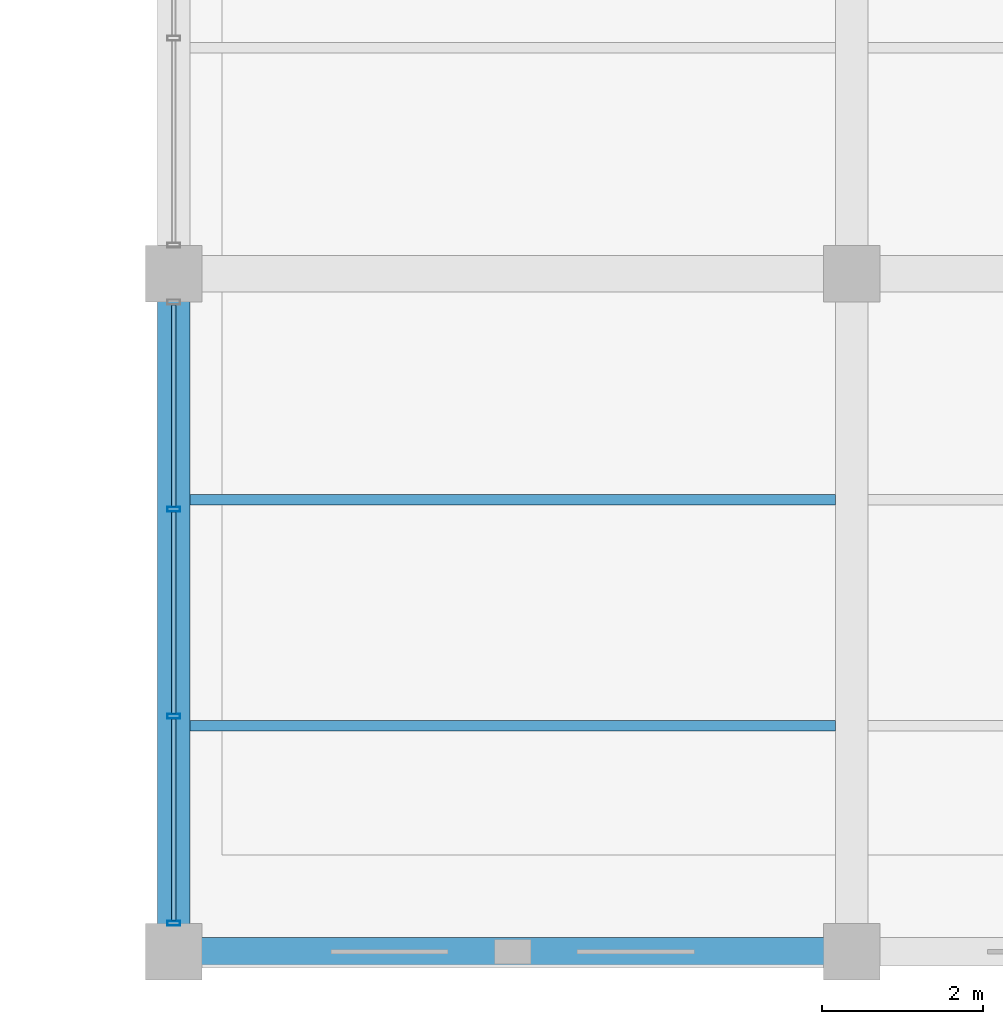
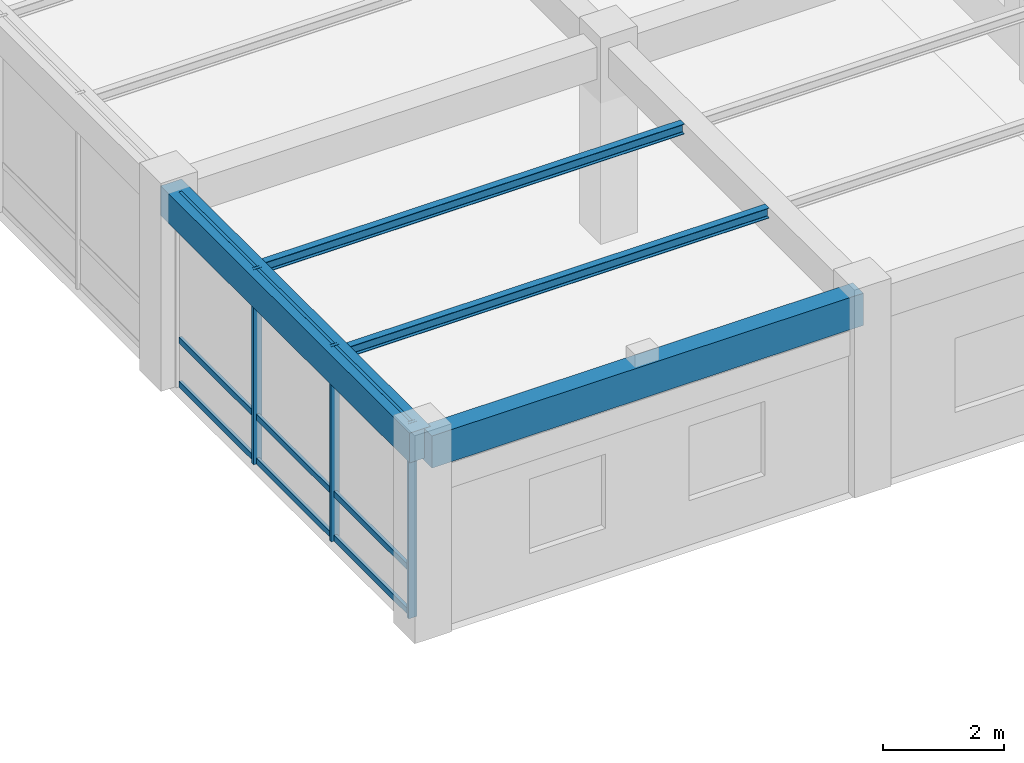
# One storey, part 16 of 152: 12 members, 4 beams, 1 element without a shape of its own.
"""IFC4 building model written with IfcOpenShell, lengths in metres."""

import ifcopenshell
import ifcopenshell.guid

model = None  # the IFC model being written
_history = None  # IfcOwnerHistory: only IFC2X3 demands one
_inside = {}  # id of a spatial element -> (the spatial element, [elements in it])
_under = {}  # id of a project, library or spatial element -> (it, [spatial elements below it])
_declared = {}  # id of a project -> (the project, [libraries it declares])
_typed = {}  # id of a type object -> (the type object, [elements of that type])
_made_of = {}  # id of a material, layer set ... -> (it, [elements and type objects made of it])


def new_model(schema):
    """Start an empty IFC model of exactly this schema.

    Asked for "IFC4X3", IfcOpenShell would pick the latest addendum, in which some entities
    have other attributes; the version numbers below select the first issue.
    IFC2X3 requires an IfcOwnerHistory on every rooted entity: one is made here for all.
    """
    global model, _history
    if schema == "IFC4X3":
        model = ifcopenshell.file(schema_version=(4, 3, 0, 0))
    else:
        model = ifcopenshell.file(schema=schema)
    _inside.clear()
    _under.clear()
    _declared.clear()
    _typed.clear()
    _made_of.clear()
    _history = None
    if model.schema == "IFC2X3":
        org = make("IfcOrganization", Name="unknown")
        user = make(
            "IfcPersonAndOrganization",
            ThePerson=make("IfcPerson", FamilyName="unknown"),
            TheOrganization=org,
        )
        app = make(
            "IfcApplication",
            ApplicationDeveloper=org,
            Version="unknown",
            ApplicationFullName="unknown",
            ApplicationIdentifier="unknown",
        )
        _history = make(
            "IfcOwnerHistory",
            OwningUser=user,
            OwningApplication=app,
            ChangeAction="ADDED",
            CreationDate=0,
        )
    return model


def make(cls, **values):
    """One entity of the class cls with the attributes given. An attribute that is None is left unset."""
    return model.create_entity(
        cls, **{name: value for name, value in values.items() if value is not None}
    )


def rooted(cls, **values):
    """An entity with a GlobalId (a new one), such as an element, a storey or a relation."""
    return make(cls, GlobalId=ifcopenshell.guid.new(), OwnerHistory=_history, **values)


def si_unit(unit_type, name, prefix=None):
    """IfcSIUnit, for example si_unit("LENGTHUNIT", "METRE", prefix="MILLI")."""
    return make("IfcSIUnit", UnitType=unit_type, Prefix=prefix, Name=name)


def assignment(units):
    """IfcUnitAssignment: the units of a project."""
    return None if units is None else make("IfcUnitAssignment", Units=units)


def point(xyz):
    """IfcCartesianPoint."""
    return None if xyz is None else make("IfcCartesianPoint", Coordinates=xyz)


def direction(xyz):
    """IfcDirection."""
    return None if xyz is None else make("IfcDirection", DirectionRatios=xyz)


def frame(location, z_axis=None, x_axis=None):
    """IfcAxis2Placement3D, a coordinate frame: its origin and axes. An axis left out is left unset."""
    return make(
        "IfcAxis2Placement3D",
        Location=point(location),
        Axis=direction(z_axis),
        RefDirection=direction(x_axis),
    )


def frame_2d(location, x_axis=None):
    """IfcAxis2Placement2D, a coordinate frame in the plane: its origin and x axis."""
    return make(
        "IfcAxis2Placement2D", Location=point(location), RefDirection=direction(x_axis)
    )


def origin():
    """The frame at (0, 0, 0) with its axes left unset."""
    return frame((0.0, 0.0, 0.0))


def origin_2d():
    """The frame at (0, 0) in the plane with its x axis left unset."""
    return frame_2d((0.0, 0.0))


def place(relative_to, where):
    """IfcLocalPlacement: puts the frame where relative to a parent placement (None: the world)."""
    return make(
        "IfcLocalPlacement", PlacementRelTo=relative_to, RelativePlacement=where
    )


def context(
    kind, dimensions, precision=None, world=None, true_north=None, identifier=None
):
    """IfcGeometricRepresentationContext, for example the 3D "Model" context."""
    return make(
        "IfcGeometricRepresentationContext",
        ContextIdentifier=identifier,
        ContextType=kind,
        CoordinateSpaceDimension=dimensions,
        Precision=precision,
        WorldCoordinateSystem=world,
        TrueNorth=true_north,
    )


def subcontext(parent, identifier, kind, view, scale=None):
    """IfcGeometricRepresentationSubContext, for example "Body" below "Model"."""
    return make(
        "IfcGeometricRepresentationSubContext",
        ContextIdentifier=identifier,
        ContextType=kind,
        ParentContext=parent,
        TargetScale=scale,
        TargetView=view,
    )


def project(units=None, contexts=None):
    """IfcProject with its units and contexts."""
    return rooted(
        "IfcProject",
        Name="project",
        RepresentationContexts=contexts,
        UnitsInContext=assignment(units),
    )


def spatial(cls, under=None, at=None, **own):
    """A site, building, storey or space (cls), placed at a placement, below another one or the project."""
    s = rooted(cls, ObjectPlacement=at, **own)
    if under is not None:
        _under.setdefault(under.id(), (under, []))[1].append(s)
    return s


def profile(cls, at=None, kind="AREA", **sizes):
    """A parametric profile (cls). Its sizes go by their IFC names, for example OverallWidth=200.0."""
    return make(cls, ProfileType=kind, Position=at, **sizes)


def rectangle(**sizes):
    """IfcRectangleProfileDef."""
    return profile("IfcRectangleProfileDef", **sizes)


def hollow_rectangle(**sizes):
    """IfcRectangleHollowProfileDef."""
    return profile("IfcRectangleHollowProfileDef", **sizes)


def i_section(**sizes):
    """IfcIShapeProfileDef."""
    return profile("IfcIShapeProfileDef", **sizes)


def extrude(swept, where, along, depth):
    """IfcExtrudedAreaSolid: the profile swept, set in the frame where, extruded along a direction by depth."""
    return make(
        "IfcExtrudedAreaSolid",
        SweptArea=swept,
        Position=where,
        ExtrudedDirection=direction(along),
        Depth=depth,
    )


def shape(context_of_items, identifier, shape_type, items):
    """IfcShapeRepresentation: the items that make up one representation, for example the "Body"."""
    return make(
        "IfcShapeRepresentation",
        ContextOfItems=context_of_items,
        RepresentationIdentifier=identifier,
        RepresentationType=shape_type,
        Items=items,
    )


def material(Name=None, Category=None):
    """IfcMaterial."""
    return make("IfcMaterial", Name=Name, Category=Category)


def material_profile(
    of_material, cross_section, Name=None, Category=None, Priority=None
):
    """IfcMaterialProfile: a cross section and its material."""
    return make(
        "IfcMaterialProfile",
        Name=Name,
        Material=of_material,
        Profile=cross_section,
        Priority=Priority,
        Category=Category,
    )


def profile_set(profiles, Name=None, composite=None):
    """IfcMaterialProfileSet."""
    return make(
        "IfcMaterialProfileSet",
        Name=Name,
        MaterialProfiles=profiles,
        CompositeProfile=composite,
    )


def made_of(thing, what):
    """Note that an element or type object is made of a material, layer set ...; save() writes the relation."""
    if what is not None:
        _made_of.setdefault(what.id(), (what, []))[1].append(thing)
    return thing


def type_object(cls, material=None, **own):
    """A type object (cls), such as IfcWallType, which elements share."""
    return made_of(rooted(cls, **own), material)


def element(
    cls,
    number,
    at=None,
    inside=None,
    cuts=None,
    type_object=None,
    material=None,
    context=None,
    identifier="Body",
    shape_type=None,
    held_by="IfcProductDefinitionShape",
    body=None,
    shapes=None,
    **own,
):
    """One element of the class cls, such as IfcWall. Its Tag is "e" and its number.

    at: its placement. inside: the storey or other place that contains it. cuts: it is an
    opening in that element (IfcRelVoidsElement). A single representation is given by context,
    identifier, shape_type and body (its items); several are given by shapes. held_by: the class
    of the entity that holds the representations. save() writes the other relations.
    """
    e = rooted(cls, Tag="e%d" % number, ObjectPlacement=at, **own)
    if body is not None:
        shapes = [shape(context, identifier, shape_type, body)]
    if shapes is not None:
        e.Representation = make(held_by, Representations=shapes)
    if inside is not None:
        _inside.setdefault(inside.id(), (inside, []))[1].append(e)
    if cuts is not None:
        rooted(
            "IfcRelVoidsElement", RelatingBuildingElement=cuts, RelatedOpeningElement=e
        )
    if type_object is not None:
        _typed.setdefault(type_object.id(), (type_object, []))[1].append(e)
    return made_of(e, material)


def aggregate(whole, parts):
    """IfcRelAggregates: a whole, such as a stair, and the parts it consists of."""
    return rooted("IfcRelAggregates", RelatingObject=whole, RelatedObjects=parts)


def save(model, path):
    """Write the relations noted so far, then the file.

    IfcRelAggregates (storeys below a building ...), IfcRelContainedInSpatialStructure (elements
    in a storey), IfcRelDefinesByType, IfcRelAssociatesMaterial and IfcRelDeclares: one each for
    every whole, place, type object, material and project.
    """
    for whole, parts in _under.values():
        aggregate(whole, parts)
    for where, things in _inside.values():
        rooted(
            "IfcRelContainedInSpatialStructure",
            RelatedElements=things,
            RelatingStructure=where,
        )
    for kind, things in _typed.values():
        rooted("IfcRelDefinesByType", RelatedObjects=things, RelatingType=kind)
    for what, things in _made_of.values():
        rooted("IfcRelAssociatesMaterial", RelatedObjects=things, RelatingMaterial=what)
    for by, libraries in _declared.values():
        rooted("IfcRelDeclares", RelatingContext=by, RelatedDefinitions=libraries)
    model.write(path)


model = new_model("IFC4")

# Units and contexts
model_context = context("Model", 3, precision=1e-05, world=origin(), true_north=direction((0.0, 1.0)))
body_context = subcontext(model_context, "Body", "Model", "MODEL_VIEW")
ifc_project = project(units=[si_unit("LENGTHUNIT", "METRE"), si_unit("AREAUNIT", "SQUARE_METRE"), si_unit("VOLUMEUNIT", "CUBIC_METRE"), si_unit("PLANEANGLEUNIT", "RADIAN"), si_unit("MASSUNIT", "GRAM", prefix="KILO"), si_unit("THERMODYNAMICTEMPERATUREUNIT", "KELVIN"), si_unit("POWERUNIT", "WATT")], contexts=[model_context])

# Site, building, storey
site_placement = place(None, origin())
site = spatial("IfcSite", under=ifc_project, at=site_placement, CompositionType="ELEMENT")
building_placement = place(site_placement, origin())
building = spatial("IfcBuilding", under=site, at=building_placement, Name="Darbajah Civic Hall", CompositionType="ELEMENT")
storey_placement = place(building_placement, frame((0.0, 0.0, 5.39990234375)))
storey = spatial("IfcBuildingStorey", under=building, at=storey_placement, Name="L01", CompositionType="ELEMENT", Elevation=5.39990234375)

# Curtain wall, members
ifc_material_1 = material(Name="Anodised Bronze Aluminium and Low-E Glazing", Category="aluminium")
curtain_wall_type = type_object("IfcCurtainWallType", Name="Unitised Curtain Wall CW-99 7700x3950", PredefinedType="USERDEFINED", material=ifc_material_1)
curtain_wall_placement = place(storey_placement, origin())
curtain_wall = element("IfcCurtainWall", 1, at=curtain_wall_placement, inside=storey, type_object=curtain_wall_type, Name="L01 unitised curtain wall CW-V5-L01-S3-B1", ObjectType="UNITISED CURTAIN WALL", PredefinedType="USERDEFINED")
ifc_material_2 = material(Name="Anodised Bronze Aluminium", Category="aluminium")
ifc_material_profile_1 = material_profile(ifc_material_2, hollow_rectangle(XDim=0.06005859375, YDim=0.159912109375, WallThickness=0.00341796875, at=origin_2d()), Name="ALU MULLION 60x160")
ifc_profile_set_1 = profile_set([ifc_material_profile_1], Name="Anodised Bronze Aluminium")
member_type_1 = type_object("IfcMemberType", Name="ALU MULLION 60x160", PredefinedType="MULLION", material=ifc_profile_set_1)
member_1_placement = place(storey_placement, frame((50.39990234375, 5.482666015625, 0.0), z_axis=(0.0, 0.0, 1.0), x_axis=(0.0, -1.0, 0.0)))
member_1 = element("IfcMember", 2, at=member_1_placement, type_object=member_type_1, Name="CW-V5-L01-S3-B1 mullion 2", PredefinedType="MULLION", context=body_context, shape_type="SweptSolid", body=[
    extrude(hollow_rectangle(XDim=0.06005859375, YDim=0.159912109375, WallThickness=0.00341796875, at=origin_2d()), origin(), (0.0, 0.0, 1.0), 3.940185546875),
])
member_2_placement = place(storey_placement, frame((50.39990234375, 2.917236328125, 0.0), z_axis=(0.0, 0.0, 1.0), x_axis=(0.0, -1.0, 0.0)))
member_2 = element("IfcMember", 3, at=member_2_placement, type_object=member_type_1, Name="CW-V5-L01-S3-B1 mullion 3", PredefinedType="MULLION", context=body_context, shape_type="SweptSolid", body=[
    extrude(hollow_rectangle(XDim=0.06005859375, YDim=0.159912109375, WallThickness=0.00341796875, at=origin_2d()), origin(), (0.0, 0.0, 1.0), 3.940185546875),
])
member_3_placement = place(storey_placement, frame((50.39990234375, 0.35205078125, 0.0), z_axis=(0.0, 0.0, 1.0), x_axis=(0.0, -1.0, 0.0)))
member_3 = element("IfcMember", 4, at=member_3_placement, type_object=member_type_1, Name="CW-V5-L01-S3-B1 mullion 4", PredefinedType="MULLION", context=body_context, shape_type="SweptSolid", body=[
    extrude(hollow_rectangle(XDim=0.06005859375, YDim=0.159912109375, WallThickness=0.00341796875, at=origin_2d()), origin(), (0.0, 0.0, 1.0), 3.940185546875),
])
ifc_material_profile_2 = material_profile(ifc_material_2, hollow_rectangle(XDim=0.06005859375, YDim=0.1201171875, WallThickness=0.003173828125, at=origin_2d()), Name="ALU TRANSOM 60x120")
ifc_profile_set_2 = profile_set([ifc_material_profile_2], Name="Anodised Bronze Aluminium")
member_type_2 = type_object("IfcMemberType", Name="ALU TRANSOM 60x120", PredefinedType="USERDEFINED", material=ifc_profile_set_2)
member_4_placement = place(storey_placement, frame((50.39990234375, 8.012939453125, 0.06005859375), z_axis=(0.0, -1.0, 0.0), x_axis=(1.0, 0.0, 0.0)))
member_4 = element("IfcMember", 5, at=member_4_placement, type_object=member_type_2, Name="CW-V5-L01-S3-B1 transom 1.1", ObjectType="TRANSOM", PredefinedType="USERDEFINED", context=body_context, shape_type="SweptSolid", body=[
    extrude(hollow_rectangle(XDim=0.06005859375, YDim=0.1201171875, WallThickness=0.003173828125, at=origin_2d()), origin(), (0.0, 0.0, 1.0), 2.495361328125),
])
member_5_placement = place(storey_placement, frame((50.39990234375, 8.012939453125, 0.9501953125), z_axis=(0.0, -1.0, 0.0), x_axis=(1.0, 0.0, 0.0)))
member_5 = element("IfcMember", 6, at=member_5_placement, type_object=member_type_2, Name="CW-V5-L01-S3-B1 transom 1.2", ObjectType="TRANSOM", PredefinedType="USERDEFINED", context=body_context, shape_type="SweptSolid", body=[
    extrude(hollow_rectangle(XDim=0.06005859375, YDim=0.1201171875, WallThickness=0.003173828125, at=origin_2d()), origin(), (0.0, 0.0, 1.0), 2.495361328125),
])
member_6_placement = place(storey_placement, frame((50.39990234375, 8.012939453125, 3.880126953125), z_axis=(0.0, -1.0, 0.0), x_axis=(1.0, 0.0, 0.0)))
member_6 = element("IfcMember", 7, at=member_6_placement, type_object=member_type_2, Name="CW-V5-L01-S3-B1 transom 1.3", ObjectType="TRANSOM", PredefinedType="USERDEFINED", context=body_context, shape_type="SweptSolid", body=[
    extrude(hollow_rectangle(XDim=0.06005859375, YDim=0.1201171875, WallThickness=0.003173828125, at=origin_2d()), origin(), (0.0, 0.0, 1.0), 2.495361328125),
])
member_7_placement = place(storey_placement, frame((50.39990234375, 5.44775390625, 0.06005859375), z_axis=(0.0, -1.0, 0.0), x_axis=(1.0, 0.0, 0.0)))
member_7 = element("IfcMember", 8, at=member_7_placement, type_object=member_type_2, Name="CW-V5-L01-S3-B1 transom 2.1", ObjectType="TRANSOM", PredefinedType="USERDEFINED", context=body_context, shape_type="SweptSolid", body=[
    extrude(hollow_rectangle(XDim=0.06005859375, YDim=0.1201171875, WallThickness=0.003173828125, at=origin_2d()), origin(), (0.0, 0.0, 1.0), 2.495361328125),
])
member_8_placement = place(storey_placement, frame((50.39990234375, 5.44775390625, 0.9501953125), z_axis=(0.0, -1.0, 0.0), x_axis=(1.0, 0.0, 0.0)))
member_8 = element("IfcMember", 9, at=member_8_placement, type_object=member_type_2, Name="CW-V5-L01-S3-B1 transom 2.2", ObjectType="TRANSOM", PredefinedType="USERDEFINED", context=body_context, shape_type="SweptSolid", body=[
    extrude(hollow_rectangle(XDim=0.06005859375, YDim=0.1201171875, WallThickness=0.003173828125, at=origin_2d()), origin(), (0.0, 0.0, 1.0), 2.495361328125),
])
member_9_placement = place(storey_placement, frame((50.39990234375, 5.44775390625, 3.880126953125), z_axis=(0.0, -1.0, 0.0), x_axis=(1.0, 0.0, 0.0)))
member_9 = element("IfcMember", 10, at=member_9_placement, type_object=member_type_2, Name="CW-V5-L01-S3-B1 transom 2.3", ObjectType="TRANSOM", PredefinedType="USERDEFINED", context=body_context, shape_type="SweptSolid", body=[
    extrude(hollow_rectangle(XDim=0.06005859375, YDim=0.1201171875, WallThickness=0.003173828125, at=origin_2d()), origin(), (0.0, 0.0, 1.0), 2.495361328125),
])
member_10_placement = place(storey_placement, frame((50.39990234375, 2.88232421875, 0.06005859375), z_axis=(0.0, -1.0, 0.0), x_axis=(1.0, 0.0, 0.0)))
member_10 = element("IfcMember", 11, at=member_10_placement, type_object=member_type_2, Name="CW-V5-L01-S3-B1 transom 3.1", ObjectType="TRANSOM", PredefinedType="USERDEFINED", context=body_context, shape_type="SweptSolid", body=[
    extrude(hollow_rectangle(XDim=0.06005859375, YDim=0.1201171875, WallThickness=0.003173828125, at=origin_2d()), origin(), (0.0, 0.0, 1.0), 2.495361328125),
])
member_11_placement = place(storey_placement, frame((50.39990234375, 2.88232421875, 0.9501953125), z_axis=(0.0, -1.0, 0.0), x_axis=(1.0, 0.0, 0.0)))
member_11 = element("IfcMember", 12, at=member_11_placement, type_object=member_type_2, Name="CW-V5-L01-S3-B1 transom 3.2", ObjectType="TRANSOM", PredefinedType="USERDEFINED", context=body_context, shape_type="SweptSolid", body=[
    extrude(hollow_rectangle(XDim=0.06005859375, YDim=0.1201171875, WallThickness=0.003173828125, at=origin_2d()), origin(), (0.0, 0.0, 1.0), 2.495361328125),
])
member_12_placement = place(storey_placement, frame((50.39990234375, 2.88232421875, 3.880126953125), z_axis=(0.0, -1.0, 0.0), x_axis=(1.0, 0.0, 0.0)))
member_12 = element("IfcMember", 13, at=member_12_placement, type_object=member_type_2, Name="CW-V5-L01-S3-B1 transom 3.3", ObjectType="TRANSOM", PredefinedType="USERDEFINED", context=body_context, shape_type="SweptSolid", body=[
    extrude(hollow_rectangle(XDim=0.06005859375, YDim=0.1201171875, WallThickness=0.003173828125, at=origin_2d()), origin(), (0.0, 0.0, 1.0), 2.495361328125),
])
aggregate(curtain_wall, [member_1, member_2, member_3, member_4, member_5, member_6, member_7, member_8, member_9, member_10, member_11, member_12])

# Beams
ifc_material_3 = material(Name="Concrete C45/55", Category="concrete")
ifc_material_profile_3 = material_profile(ifc_material_3, rectangle(XDim=0.39990234375, YDim=0.60009765625, at=origin_2d()), Name="RC BEAM 400x600")
ifc_profile_set_3 = profile_set([ifc_material_profile_3], Name="Concrete C45/55")
beam_type_1 = type_object("IfcBeamType", Name="RC BEAM 400x600", PredefinedType="BEAM", material=ifc_profile_set_3)
beam_1_placement = place(storey_placement, frame((50.39990234375, 0.080078125, 3.64013671875), z_axis=(0.0, 1.0, 0.0), x_axis=(-1.0, 0.0, 0.0)))
element("IfcBeam", 14, at=beam_1_placement, inside=storey, type_object=beam_type_1, Name="L01 beam BM-4060", PredefinedType="BEAM", context=body_context, shape_type="SweptSolid", body=[
    extrude(rectangle(XDim=0.39990234375, YDim=0.60009765625, at=origin_2d()), origin(), (0.0, 0.0, 1.0), 8.239990234375),
])
ifc_material_profile_4 = material_profile(ifc_material_3, rectangle(XDim=0.35009765625, YDim=0.64990234375, at=origin_2d()), Name="RC SPANDREL 350x650")
ifc_profile_set_4 = profile_set([ifc_material_profile_4], Name="Concrete C45/55")
beam_type_2 = type_object("IfcBeamType", Name="RC SPANDREL 350x650", PredefinedType="SPANDREL", material=ifc_profile_set_4)
beam_2_placement = place(storey_placement, frame((50.47998046875, 0.0, 3.614990234375), z_axis=(1.0, 0.0, 0.0), x_axis=(0.0, 1.0, 0.0)))
element("IfcBeam", 15, at=beam_2_placement, inside=storey, type_object=beam_type_2, Name="L01 beam SP-3565", PredefinedType="SPANDREL", context=body_context, shape_type="SweptSolid", body=[
    extrude(rectangle(XDim=0.35009765625, YDim=0.64990234375, at=origin_2d()), origin(), (0.0, 0.0, 1.0), 8.239990234375),
])
ifc_material_4 = material(Name="Steel S355JR", Category="steel")
ifc_material_profile_5 = material_profile(ifc_material_4, i_section(OverallWidth=0.1337890625, OverallDepth=0.206787109375, WebThickness=0.00634765625, FlangeThickness=0.009521484375, FilletRadius=0.007568359375, at=origin_2d()), Name="UB 203x133x30")
ifc_profile_set_5 = profile_set([ifc_material_profile_5], Name="Steel S355JR")
beam_type_3 = type_object("IfcBeamType", Name="UB 203x133x30", PredefinedType="JOIST", material=ifc_profile_set_5)
for number, where, z_axis, x_axis, name in (
    (16, (50.60009765625, 2.800048828125, 3.836669921875), (1.0, 0.0, 0.0), (0.0, 1.0, 0.0), "L01 beam SJ-203"),
    (17, (50.60009765625, 5.60009765625, 3.836669921875), (1.0, 0.0, 0.0), (0.0, 1.0, 0.0), "L01 beam SJ-203"),
):
    element("IfcBeam", number, at=place(storey_placement, frame(where, z_axis=z_axis, x_axis=x_axis)), inside=storey, type_object=beam_type_3, Name=name, PredefinedType="JOIST", context=body_context, shape_type="SweptSolid", body=[
        extrude(i_section(OverallWidth=0.1337890625, OverallDepth=0.206787109375, WebThickness=0.00634765625, FlangeThickness=0.009521484375, FilletRadius=0.007568359375, at=origin_2d()), origin(), (0.0, 0.0, 1.0), 8.0),
    ])

save(model, "model.ifc")
